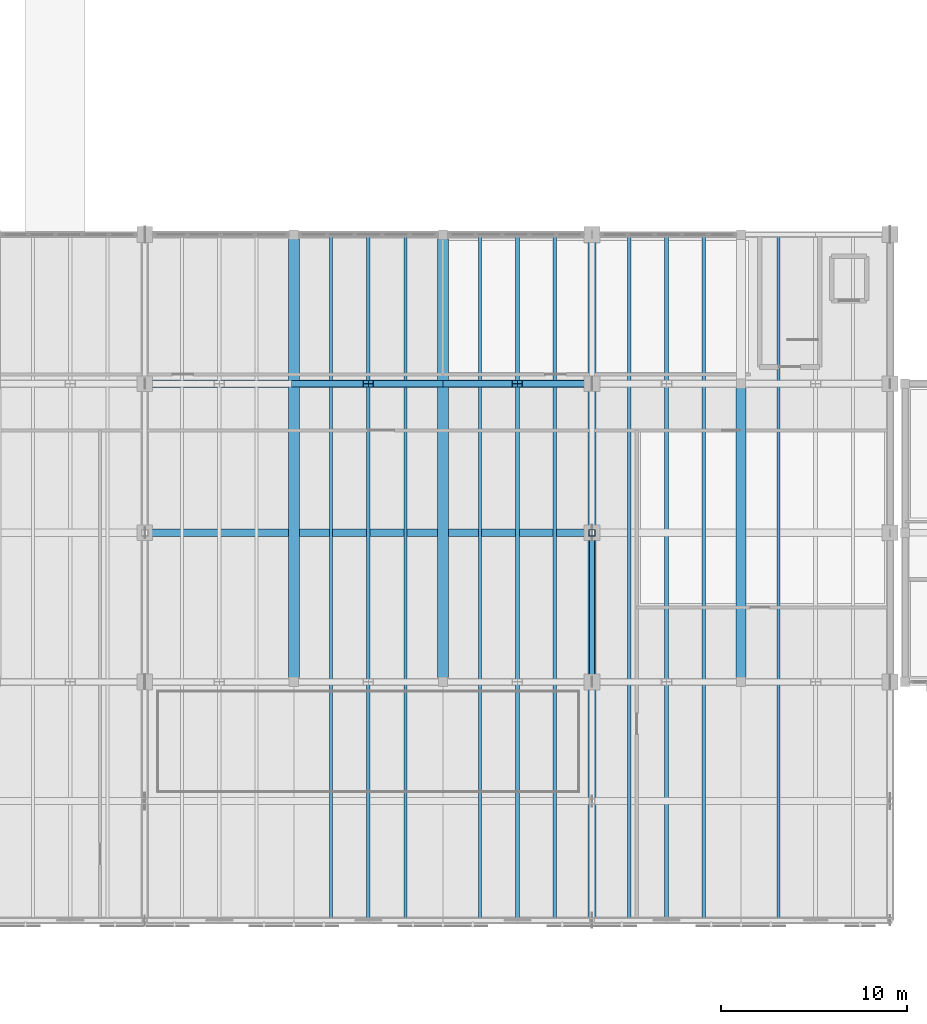
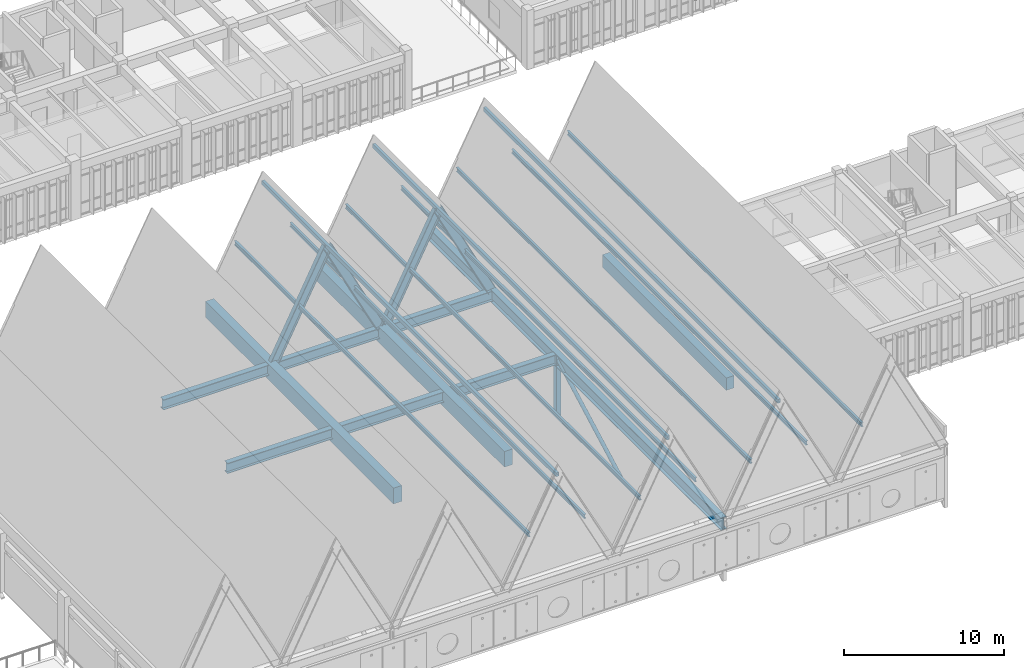
# One storey, part 13 of 72: 17 members, 5 beams.
"""IFC4 building model written with IfcOpenShell, lengths in metres."""

from ifc_helpers import new_model, si_unit, direction, frame, origin, origin_2d, place, context, subcontext, project, spatial, rectangle, hollow_rectangle, hollow_circle, i_section, extrude, material, material_profile, profile_set, type_object, element, save


model = new_model("IFC4")

# Units and contexts
model_context = context("Model", 3, precision=1e-05, world=origin(), true_north=direction((0.0, 1.0)))
body_context = subcontext(model_context, "Body", "Model", "MODEL_VIEW")
ifc_project = project(units=[si_unit("LENGTHUNIT", "METRE"), si_unit("AREAUNIT", "SQUARE_METRE"), si_unit("VOLUMEUNIT", "CUBIC_METRE"), si_unit("PLANEANGLEUNIT", "RADIAN"), si_unit("MASSUNIT", "GRAM", prefix="KILO")], contexts=[model_context])

# Site, building, storey
site_placement = place(None, origin())
site = spatial("IfcSite", under=ifc_project, at=site_placement, CompositionType="ELEMENT")
building_placement = place(site_placement, origin())
building = spatial("IfcBuilding", under=site, at=building_placement, Name="Tlaxcora Railside Police Headquarters", CompositionType="ELEMENT")
storey_placement = place(building_placement, frame((0.0, 0.0, 13.5)))
storey = spatial("IfcBuildingStorey", under=building, at=storey_placement, Name="L03", CompositionType="ELEMENT", Elevation=13.5)

# Member
ifc_material_1 = material(Name="Steel ASTM A992 Grade 50", Category="steel")
ifc_material_profile_1 = material_profile(ifc_material_1, hollow_circle(Radius=0.136474609375, WallThickness=0.011962890625, at=origin_2d()), Name="CHS273X12")
ifc_profile_set_1 = profile_set([ifc_material_profile_1], Name="Steel ASTM A992 Grade 50")
member_type_1 = type_object("IfcMemberType", Name="Diagonal Brace Member MB-16", PredefinedType="BRACE", material=ifc_profile_set_1)
member_1_placement = place(storey_placement, frame((86.0, 44.0, 3.52001953125), z_axis=(0.0, -0.879902254176, -0.475154735951), x_axis=(1.0, 0.0, 0.0)))
element("IfcMember", 1, at=member_1_placement, inside=storey, type_object=member_type_1, Name="Truss TR-3 L03 web diagonal 3", PredefinedType="BRACE", context=body_context, shape_type="SweptSolid", body=[
    extrude(hollow_circle(Radius=0.136474609375, WallThickness=0.011962890625, at=origin_2d()), origin(), (0.0, 0.0, 1.0), 9.092041015625),
])

# Beams
ifc_material_2 = material(Name="Concrete C40/50", Category="concrete")
ifc_material_profile_2 = material_profile(ifc_material_2, rectangle(XDim=0.550048828125, YDim=0.949951171875, at=origin_2d()), Name="RC550X950")
ifc_profile_set_2 = profile_set([ifc_material_profile_2], Name="Concrete C40/50")
beam_type_1 = type_object("IfcBeamType", Name="Primary Frame Girder BM-43", PredefinedType="BEAM", material=ifc_profile_set_2)
beam_placement = place(storey_placement, frame((94.0, 36.239990234375, 3.52490234375), z_axis=(0.0, 1.0, 0.0), x_axis=(-1.0, 0.0, 0.0)))
element("IfcBeam", 2, at=beam_placement, inside=storey, type_object=beam_type_1, Name="V2 L03 Y-girder X=94.0", PredefinedType="BEAM", context=body_context, shape_type="SweptSolid", body=[
    extrude(rectangle(XDim=0.550048828125, YDim=0.949951171875, at=origin_2d()), origin(), (0.0, 0.0, 1.0), 15.52001953125),
])
ifc_material_profile_3 = material_profile(ifc_material_1, i_section(OverallWidth=0.384033203125, OverallDepth=0.784912109375, WebThickness=0.019775390625, FlangeThickness=0.033447265625, at=origin_2d()), Name="W30X211")
ifc_profile_set_3 = profile_set([ifc_material_profile_3], Name="Steel ASTM A992 Grade 50")
beam_type_2 = type_object("IfcBeamType", Name="Primary Frame Girder BM-53", PredefinedType="BEAM", material=ifc_profile_set_3)
for number, where, z_axis, x_axis, name in (
    (3, (62.10009765625, 52.0, 3.5673828125), (1.0, 0.0, 0.0), (0.0, 1.0, 0.0), "Sawtooth roof tie girder Y=52.0"),
    (4, (62.10009765625, 44.0, 3.5673828125), (1.0, 0.0, 0.0), (0.0, 1.0, 0.0), "Sawtooth roof tie girder Y=44.0"),
):
    element("IfcBeam", number, at=place(storey_placement, frame(where, z_axis=z_axis, x_axis=x_axis)), inside=storey, type_object=beam_type_2, Name=name, PredefinedType="BEAM", context=body_context, shape_type="SweptSolid", body=[
        extrude(i_section(OverallWidth=0.384033203125, OverallDepth=0.784912109375, WebThickness=0.019775390625, FlangeThickness=0.033447265625, at=origin_2d()), origin(), (0.0, 0.0, 1.0), 23.7998046875),
    ])
ifc_material_profile_4 = material_profile(ifc_material_2, rectangle(XDim=0.60009765625, YDim=1.199951171875, at=origin_2d()), Name="RC600X1200")
ifc_profile_set_4 = profile_set([ifc_material_profile_4], Name="Concrete C40/50")
beam_type_3 = type_object("IfcBeamType", Name="Primary Frame Girder BM-68", PredefinedType="BEAM", material=ifc_profile_set_4)
for number, where, z_axis, x_axis, name in (
    (5, (70.0, 36.239990234375, 3.39990234375), (0.0, 1.0, 0.0), (-1.0, 0.0, 0.0), "V2 L03 Y-girder X=70.0"),
    (6, (78.0, 36.239990234375, 3.39990234375), (0.0, 1.0, 0.0), (-1.0, 0.0, 0.0), "V2 L03 Y-girder X=78.0"),
):
    element("IfcBeam", number, at=place(storey_placement, frame(where, z_axis=z_axis, x_axis=x_axis)), inside=storey, type_object=beam_type_3, Name=name, PredefinedType="BEAM", context=body_context, shape_type="SweptSolid", body=[
        extrude(rectangle(XDim=0.60009765625, YDim=1.199951171875, at=origin_2d()), origin(), (0.0, 0.0, 1.0), 23.52001953125),
    ])

# Members
ifc_material_profile_5 = material_profile(ifc_material_1, hollow_rectangle(XDim=0.199951171875, YDim=0.300048828125, WallThickness=0.010009765625, at=origin_2d()), Name="HSS300X200X10")
ifc_profile_set_5 = profile_set([ifc_material_profile_5], Name="Steel ASTM A992 Grade 50")
member_type_2 = type_object("IfcMemberType", Name="Roof Purlin Member MB-11", PredefinedType="PURLIN", material=ifc_profile_set_5)
for number, where, z_axis, x_axis, name in (
    (7, (74.0, 23.199951171875, 11.449951171875), (0.0, 1.0, 0.0), (-1.0, 0.0, 0.0), "Sawtooth gable 4 ridge purlin"),
    (8, (82.0, 23.199951171875, 11.449951171875), (0.0, 1.0, 0.0), (-1.0, 0.0, 0.0), "Sawtooth gable 5 ridge purlin"),
    (9, (90.0, 23.199951171875, 11.449951171875), (0.0, 1.0, 0.0), (-1.0, 0.0, 0.0), "Sawtooth gable 6 ridge purlin"),
):
    element("IfcMember", number, at=place(storey_placement, frame(where, z_axis=z_axis, x_axis=x_axis)), inside=storey, type_object=member_type_2, Name=name, PredefinedType="PURLIN", context=body_context, shape_type="SweptSolid", body=[
        extrude(hollow_rectangle(XDim=0.199951171875, YDim=0.300048828125, WallThickness=0.010009765625, at=origin_2d()), origin(), (0.0, 0.0, 1.0), 36.800048828125),
    ])
ifc_material_profile_6 = material_profile(ifc_material_1, i_section(OverallWidth=0.1650390625, OverallDepth=0.31005859375, WebThickness=0.005859375, FlangeThickness=0.009765625, at=origin_2d()), Name="W12X26")
ifc_profile_set_6 = profile_set([ifc_material_profile_6], Name="Steel ASTM A992 Grade 50")
member_type_3 = type_object("IfcMemberType", Name="Roof Purlin Member MB-98", PredefinedType="PURLIN", material=ifc_profile_set_6)
for number, where, z_axis, x_axis, name in (
    (10, (72.0, 23.199951171875, 7.550048828125), (0.0, 1.0, 0.0), (-1.0, 0.0, 0.0), "Sawtooth gable 4 west purlin"),
    (11, (76.0, 23.199951171875, 7.550048828125), (0.0, 1.0, 0.0), (-1.0, 0.0, 0.0), "Sawtooth gable 4 east purlin"),
    (12, (80.0, 23.199951171875, 7.550048828125), (0.0, 1.0, 0.0), (-1.0, 0.0, 0.0), "Sawtooth gable 5 west purlin"),
    (13, (84.0, 23.199951171875, 7.550048828125), (0.0, 1.0, 0.0), (-1.0, 0.0, 0.0), "Sawtooth gable 5 east purlin"),
    (14, (88.0, 23.199951171875, 7.550048828125), (0.0, 1.0, 0.0), (-1.0, 0.0, 0.0), "Sawtooth gable 6 west purlin"),
    (15, (92.0, 23.199951171875, 7.550048828125), (0.0, 1.0, 0.0), (-1.0, 0.0, 0.0), "Sawtooth gable 6 east purlin"),
    (16, (96.0, 23.199951171875, 7.550048828125), (0.0, 1.0, 0.0), (-1.0, 0.0, 0.0), "Sawtooth gable 7 west purlin"),
):
    element("IfcMember", number, at=place(storey_placement, frame(where, z_axis=z_axis, x_axis=x_axis)), inside=storey, type_object=member_type_3, Name=name, PredefinedType="PURLIN", context=body_context, shape_type="SweptSolid", body=[
        extrude(i_section(OverallWidth=0.1650390625, OverallDepth=0.31005859375, WebThickness=0.005859375, FlangeThickness=0.009765625, at=origin_2d()), origin(), (0.0, 0.0, 1.0), 36.800048828125),
    ])
ifc_material_profile_7 = material_profile(ifc_material_1, i_section(OverallWidth=0.423095703125, OverallDepth=0.947998046875, WebThickness=0.02392578125, FlangeThickness=0.042724609375, at=origin_2d()), Name="W36X302")
ifc_profile_set_7 = profile_set([ifc_material_profile_7], Name="Steel ASTM A992 Grade 50")
member_type_4 = type_object("IfcMemberType", Name="Truss Chord Member MB-32", PredefinedType="CHORD", material=ifc_profile_set_7)
member_2_placement = place(storey_placement, frame((86.0, 60.0, 3.52001953125), z_axis=(0.0, -1.0, 0.0), x_axis=(1.0, 0.0, 0.0)))
element("IfcMember", 17, at=member_2_placement, inside=storey, type_object=member_type_4, Name="Cantilever truss TR-3 top chord", PredefinedType="CHORD", context=body_context, shape_type="SweptSolid", body=[
    extrude(i_section(OverallWidth=0.423095703125, OverallDepth=0.947998046875, WebThickness=0.02392578125, FlangeThickness=0.042724609375, at=origin_2d()), origin(), (0.0, 0.0, 1.0), 36.800048828125),
])
ifc_material_profile_8 = material_profile(ifc_material_1, i_section(OverallWidth=0.3291015625, OverallDepth=0.635009765625, WebThickness=0.017822265625, FlangeThickness=0.031005859375, at=origin_2d()), Name="W24X162")
ifc_profile_set_8 = profile_set([ifc_material_profile_8], Name="Steel ASTM A992 Grade 50")
member_type_5 = type_object("IfcMemberType", Name="Truss Chord Member MB-35", PredefinedType="CHORD", material=ifc_profile_set_8)
for number, where, z_axis, x_axis, name in (
    (18, (70.14990234375, 52.0, 3.919921875), (0.455243807773, 0.0, 0.890366820745), (0.0, 1.0, 0.0), "Sawtooth rafter 4W Y=52.0"),
    (19, (77.85009765625, 52.0, 3.919921875), (-0.455243807773, 0.0, 0.890366820745), (0.0, -1.0, 0.0), "Sawtooth rafter 4E Y=52.0"),
    (20, (78.14990234375, 52.0, 3.919921875), (0.455243807773, 0.0, 0.890366820745), (0.0, 1.0, 0.0), "Sawtooth rafter 5W Y=52.0"),
    (21, (85.85009765625, 52.0, 3.919921875), (-0.455243807773, 0.0, 0.890366820745), (0.0, -1.0, 0.0), "Sawtooth rafter 5E Y=52.0"),
):
    element("IfcMember", number, at=place(storey_placement, frame(where, z_axis=z_axis, x_axis=x_axis)), inside=storey, type_object=member_type_5, Name=name, PredefinedType="CHORD", context=body_context, shape_type="SweptSolid", body=[
        extrude(i_section(OverallWidth=0.3291015625, OverallDepth=0.635009765625, WebThickness=0.017822265625, FlangeThickness=0.031005859375, at=origin_2d()), origin(), (0.0, 0.0, 1.0), 8.457275390625),
    ])
ifc_material_profile_9 = material_profile(ifc_material_1, hollow_rectangle(XDim=0.35009765625, YDim=0.35009765625, WallThickness=0.01611328125, at=origin_2d()), Name="HSS350X350X16")
ifc_profile_set_9 = profile_set([ifc_material_profile_9], Name="Steel ASTM A992 Grade 50")
member_type_6 = type_object("IfcMemberType", Name="Truss Vertical Post MB-42", PredefinedType="POST", material=ifc_profile_set_9)
member_3_placement = place(storey_placement, frame((86.0, 44.0, -0.800048828125), z_axis=(0.0, 0.0, 1.0), x_axis=(1.0, 0.0, 0.0)))
element("IfcMember", 22, at=member_3_placement, inside=storey, type_object=member_type_6, Name="Truss TR-3 L03 post Y=44.0", PredefinedType="POST", context=body_context, shape_type="SweptSolid", body=[
    extrude(hollow_rectangle(XDim=0.35009765625, YDim=0.35009765625, WallThickness=0.01611328125, at=origin_2d()), origin(), (0.0, 0.0, 1.0), 4.780029296875),
])

save(model, "model.ifc")
